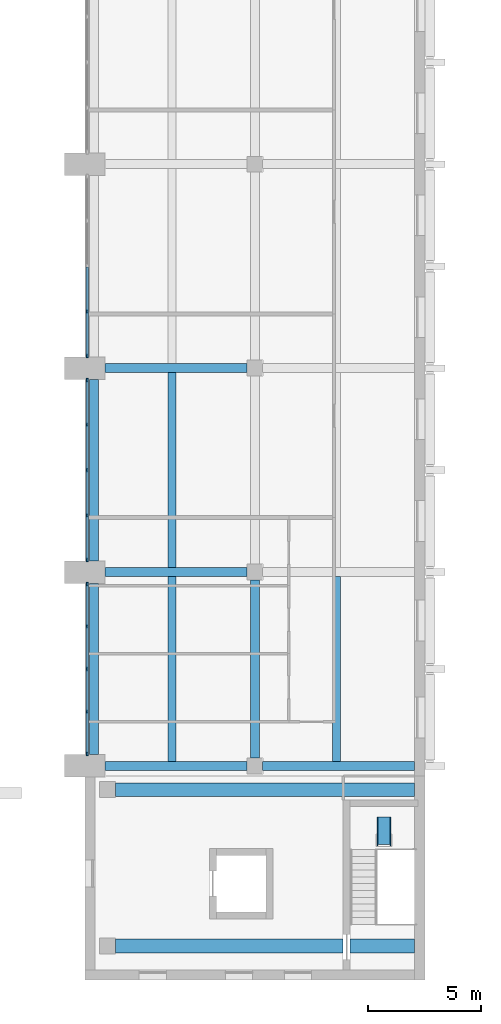
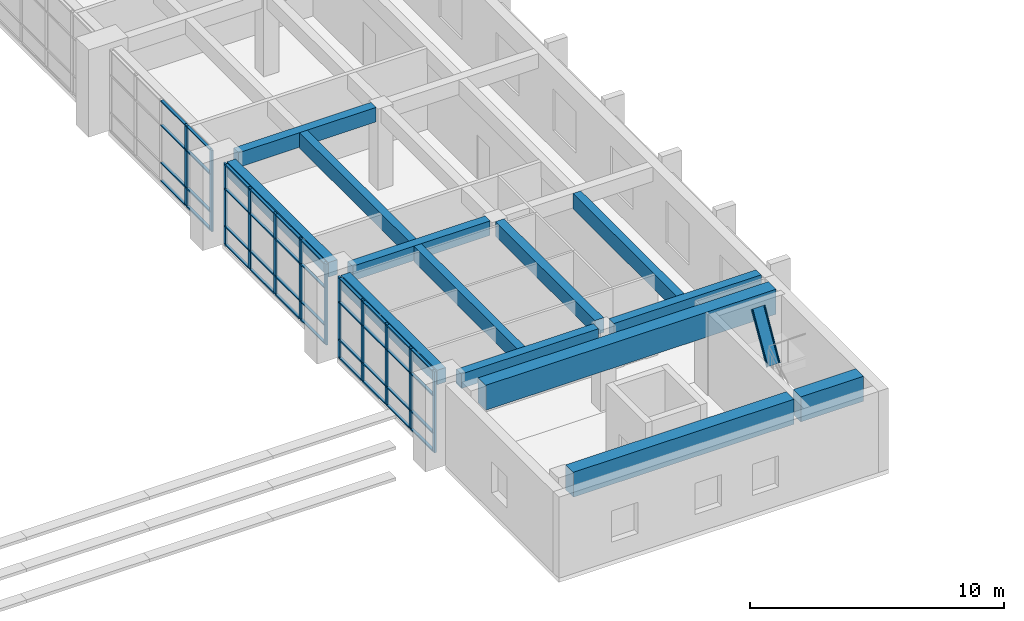
# One storey, part 6 of 43: 53 members, 13 beams, 3 elements without a shape of their own.
"""IFC4 building model written with IfcOpenShell, lengths in metres."""

from ifc_helpers import new_model, si_unit, direction, frame, origin, origin_2d, place, context, subcontext, project, spatial, polyline, rectangle, outline, extrude, material, material_profile, profile_set, type_object, element, aggregate, save


model = new_model("IFC4")

# Units and contexts
model_context = context("Model", 3, precision=1e-05, world=origin(), true_north=direction((0.0, 1.0)))
body_context = subcontext(model_context, "Body", "Model", "MODEL_VIEW")
ifc_project = project(units=[si_unit("LENGTHUNIT", "METRE"), si_unit("AREAUNIT", "SQUARE_METRE"), si_unit("VOLUMEUNIT", "CUBIC_METRE"), si_unit("PLANEANGLEUNIT", "RADIAN"), si_unit("MASSUNIT", "GRAM", prefix="KILO")], contexts=[model_context])

# Site, building, storey
site_placement = place(None, origin())
site = spatial("IfcSite", under=ifc_project, at=site_placement, CompositionType="ELEMENT")
building_placement = place(site_placement, origin())
building = spatial("IfcBuilding", under=site, at=building_placement, Name="Elmora Arch Market Hall", CompositionType="ELEMENT")
storey_placement = place(building_placement, frame((0.0, 0.0, 10.199951171875)))
storey = spatial("IfcBuildingStorey", under=building, at=storey_placement, Name="L02", CompositionType="ELEMENT", Elevation=10.199951171875)

# Beams
ifc_material_1 = material(Name="Concrete C32/40", Category="concrete")
ifc_material_profile_1 = material_profile(ifc_material_1, rectangle(XDim=0.60009765625, YDim=1.199951171875, at=origin_2d()), Name="Corner block girder 600x1200")
ifc_profile_set_1 = profile_set([ifc_material_profile_1], Name="Concrete C32/40")
beam_type_1 = type_object("IfcBeamType", Name="Corner block girder 600x1200", PredefinedType="BEAM", material=ifc_profile_set_1)
beam_1_placement = place(storey_placement, frame((44.35009765625, 19.5, 3.300048828125), z_axis=(1.0, 0.0, 0.0), x_axis=(0.0, 1.0, 0.0)))
element("IfcBeam", 1, at=beam_1_placement, inside=storey, type_object=beam_type_1, Name="Corner block girder SER1 L02.1", PredefinedType="BEAM", context=body_context, shape_type="SweptSolid", body=[
    extrude(rectangle(XDim=0.60009765625, YDim=1.199951171875, at=origin_2d()), origin(), (0.0, 0.0, 1.0), 10.0498046875),
])
beam_2_placement = place(storey_placement, frame((54.699951171875, 19.5, 3.300048828125), z_axis=(1.0, 0.0, 0.0), x_axis=(0.0, 1.0, 0.0)))
element("IfcBeam", 2, at=beam_2_placement, inside=storey, type_object=beam_type_1, Name="Corner block girder SER1 L02.2", PredefinedType="BEAM", context=body_context, shape_type="SweptSolid", body=[
    extrude(rectangle(XDim=0.60009765625, YDim=1.199951171875, at=origin_2d()), origin(), (0.0, 0.0, 1.0), 2.85009765625),
])
beam_3_placement = place(storey_placement, frame((44.35009765625, 26.39990234375, 3.300048828125), z_axis=(1.0, 0.0, 0.0), x_axis=(0.0, 1.0, 0.0)))
element("IfcBeam", 3, at=beam_3_placement, inside=storey, type_object=beam_type_1, Name="Corner block girder SER2 L02.1", PredefinedType="BEAM", context=body_context, shape_type="SweptSolid", body=[
    extrude(rectangle(XDim=0.60009765625, YDim=1.199951171875, at=origin_2d()), origin(), (0.0, 0.0, 1.0), 13.199951171875),
])

# Curtain wall, members
ifc_material_2 = material(Name="Aluminium", Category="aluminium")
curtain_wall_type = type_object("IfcCurtainWallType", Name="Hall front curtain wall", PredefinedType="NOTDEFINED", material=ifc_material_2)
curtain_wall_1_placement = place(storey_placement, origin())
curtain_wall_1 = element("IfcCurtainWall", 4, at=curtain_wall_1_placement, inside=storey, type_object=curtain_wall_type, Name="Wing front E L02 1", PredefinedType="NOTDEFINED")
ifc_material_3 = material(Name="Aluminium", Category="aluminium")
ifc_material_profile_2 = material_profile(ifc_material_3, rectangle(XDim=0.080078125, YDim=0.179931640625, at=origin_2d()), Name="AL 80x180")
ifc_profile_set_2 = profile_set([ifc_material_profile_2], Name="Aluminium")
member_type_1 = type_object("IfcMemberType", Name="Mullion 80x180", PredefinedType="MULLION", material=ifc_profile_set_2)
member_1_placement = place(storey_placement, frame((43.10009765625, 27.989990234375, 0.0), z_axis=(0.0, 0.0, 1.0), x_axis=(-1.0, 0.0, 0.0)))
member_1 = element("IfcMember", 5, at=member_1_placement, type_object=member_type_1, Name="CW2 mullion 1", PredefinedType="MULLION", context=body_context, shape_type="SweptSolid", body=[
    extrude(rectangle(XDim=0.080078125, YDim=0.179931640625, at=origin_2d()), origin(), (0.0, 0.0, 1.0), 3.900146484375),
])
member_2_placement = place(storey_placement, frame((43.10009765625, 29.83740234375, 0.0), z_axis=(0.0, 0.0, 1.0), x_axis=(-1.0, 0.0, 0.0)))
member_2 = element("IfcMember", 6, at=member_2_placement, type_object=member_type_1, Name="CW2 mullion 2", PredefinedType="MULLION", context=body_context, shape_type="SweptSolid", body=[
    extrude(rectangle(XDim=0.080078125, YDim=0.179931640625, at=origin_2d()), origin(), (0.0, 0.0, 1.0), 3.900146484375),
])
member_3_placement = place(storey_placement, frame((43.10009765625, 31.72509765625, 0.0), z_axis=(0.0, 0.0, 1.0), x_axis=(-1.0, 0.0, 0.0)))
member_3 = element("IfcMember", 7, at=member_3_placement, type_object=member_type_1, Name="CW2 mullion 3", PredefinedType="MULLION", context=body_context, shape_type="SweptSolid", body=[
    extrude(rectangle(XDim=0.080078125, YDim=0.179931640625, at=origin_2d()), origin(), (0.0, 0.0, 1.0), 3.900146484375),
])
member_4_placement = place(storey_placement, frame((43.10009765625, 33.612548828125, 0.0), z_axis=(0.0, 0.0, 1.0), x_axis=(-1.0, 0.0, 0.0)))
member_4 = element("IfcMember", 8, at=member_4_placement, type_object=member_type_1, Name="CW2 mullion 4", PredefinedType="MULLION", context=body_context, shape_type="SweptSolid", body=[
    extrude(rectangle(XDim=0.080078125, YDim=0.179931640625, at=origin_2d()), origin(), (0.0, 0.0, 1.0), 3.900146484375),
])
member_5_placement = place(storey_placement, frame((43.10009765625, 35.4599609375, 0.0), z_axis=(0.0, 0.0, 1.0), x_axis=(-1.0, 0.0, 0.0)))
member_5 = element("IfcMember", 9, at=member_5_placement, type_object=member_type_1, Name="CW2 mullion 5", PredefinedType="MULLION", context=body_context, shape_type="SweptSolid", body=[
    extrude(rectangle(XDim=0.080078125, YDim=0.179931640625, at=origin_2d()), origin(), (0.0, 0.0, 1.0), 3.900146484375),
])

curtain_wall_2_placement = place(storey_placement, origin())
curtain_wall_2 = element("IfcCurtainWall", 10, at=curtain_wall_2_placement, inside=storey, type_object=curtain_wall_type, Name="Wing front E L02 2", PredefinedType="NOTDEFINED")
member_6_placement = place(storey_placement, frame((43.10009765625, 36.5400390625, 0.0), z_axis=(0.0, 0.0, 1.0), x_axis=(-1.0, 0.0, 0.0)))
member_6 = element("IfcMember", 11, at=member_6_placement, type_object=member_type_1, Name="CW2 mullion 1", PredefinedType="MULLION", context=body_context, shape_type="SweptSolid", body=[
    extrude(rectangle(XDim=0.080078125, YDim=0.179931640625, at=origin_2d()), origin(), (0.0, 0.0, 1.0), 3.900146484375),
])
member_7_placement = place(storey_placement, frame((43.10009765625, 38.5, 0.0), z_axis=(0.0, 0.0, 1.0), x_axis=(-1.0, 0.0, 0.0)))
member_7 = element("IfcMember", 12, at=member_7_placement, type_object=member_type_1, Name="CW2 mullion 2", PredefinedType="MULLION", context=body_context, shape_type="SweptSolid", body=[
    extrude(rectangle(XDim=0.080078125, YDim=0.179931640625, at=origin_2d()), origin(), (0.0, 0.0, 1.0), 3.900146484375),
])
member_8_placement = place(storey_placement, frame((43.10009765625, 40.5, 0.0), z_axis=(0.0, 0.0, 1.0), x_axis=(-1.0, 0.0, 0.0)))
member_8 = element("IfcMember", 13, at=member_8_placement, type_object=member_type_1, Name="CW2 mullion 3", PredefinedType="MULLION", context=body_context, shape_type="SweptSolid", body=[
    extrude(rectangle(XDim=0.080078125, YDim=0.179931640625, at=origin_2d()), origin(), (0.0, 0.0, 1.0), 3.900146484375),
])
member_9_placement = place(storey_placement, frame((43.10009765625, 42.5, 0.0), z_axis=(0.0, 0.0, 1.0), x_axis=(-1.0, 0.0, 0.0)))
member_9 = element("IfcMember", 14, at=member_9_placement, type_object=member_type_1, Name="CW2 mullion 4", PredefinedType="MULLION", context=body_context, shape_type="SweptSolid", body=[
    extrude(rectangle(XDim=0.080078125, YDim=0.179931640625, at=origin_2d()), origin(), (0.0, 0.0, 1.0), 3.900146484375),
])
member_10_placement = place(storey_placement, frame((43.10009765625, 44.4599609375, 0.0), z_axis=(0.0, 0.0, 1.0), x_axis=(-1.0, 0.0, 0.0)))
member_10 = element("IfcMember", 15, at=member_10_placement, type_object=member_type_1, Name="CW2 mullion 5", PredefinedType="MULLION", context=body_context, shape_type="SweptSolid", body=[
    extrude(rectangle(XDim=0.080078125, YDim=0.179931640625, at=origin_2d()), origin(), (0.0, 0.0, 1.0), 3.900146484375),
])

curtain_wall_3_placement = place(storey_placement, origin())
curtain_wall_3 = element("IfcCurtainWall", 16, at=curtain_wall_3_placement, inside=storey, type_object=curtain_wall_type, Name="Wing front E L02 3", PredefinedType="NOTDEFINED")
member_11_placement = place(storey_placement, frame((43.10009765625, 45.5400390625, 0.0), z_axis=(0.0, 0.0, 1.0), x_axis=(-1.0, 0.0, 0.0)))
member_11 = element("IfcMember", 17, at=member_11_placement, type_object=member_type_1, Name="CW2 mullion 1", PredefinedType="MULLION", context=body_context, shape_type="SweptSolid", body=[
    extrude(rectangle(XDim=0.080078125, YDim=0.179931640625, at=origin_2d()), origin(), (0.0, 0.0, 1.0), 3.900146484375),
])
member_12_placement = place(storey_placement, frame((43.10009765625, 47.5, 0.0), z_axis=(0.0, 0.0, 1.0), x_axis=(-1.0, 0.0, 0.0)))
member_12 = element("IfcMember", 18, at=member_12_placement, type_object=member_type_1, Name="CW2 mullion 2", PredefinedType="MULLION", context=body_context, shape_type="SweptSolid", body=[
    extrude(rectangle(XDim=0.080078125, YDim=0.179931640625, at=origin_2d()), origin(), (0.0, 0.0, 1.0), 3.900146484375),
])

# Member
ifc_material_4 = material(Name="Steel ASTM A500 Gr C", Category="steel")
ifc_material_profile_3 = material_profile(ifc_material_4, outline(polyline([(-0.300048828125, 0.0), (0.300048828125, 0.0), (0.300048828125, 0.10009765625), (0.260009765625, 0.10009765625), (0.260009765625, 0.02001953125), (-0.260009765625, 0.02001953125), (-0.260009765625, 0.10009765625), (-0.300048828125, 0.10009765625), (-0.300048828125, 0.0)])), Name="Ladder channel 600 x 100")
ifc_profile_set_3 = profile_set([ifc_material_profile_3], Name="Steel ASTM A500 Gr C")
member_type_2 = type_object("IfcMemberType", Name="Roof access ladder 600", PredefinedType="USERDEFINED", material=ifc_profile_set_3)
member_13_placement = place(storey_placement, frame((56.199951171875, 24.0, 2.0), z_axis=(0.0, 0.505154929863, 0.863028676716), x_axis=(-1.0, 0.0, 0.0)))
element("IfcMember", 19, at=member_13_placement, inside=storey, type_object=member_type_2, Name="Roof access ladder ST-ES", ObjectType="ROOF ACCESS LADDER", PredefinedType="USERDEFINED", context=body_context, shape_type="SweptSolid", body=[
    extrude(outline(polyline([(-0.300048828125, 0.0), (0.300048828125, 0.0), (0.300048828125, 0.10009765625), (0.260009765625, 0.10009765625), (0.260009765625, 0.02001953125), (-0.260009765625, 0.02001953125), (-0.260009765625, 0.10009765625), (-0.300048828125, 0.10009765625), (-0.300048828125, 0.0)])), origin(), (0.0, 0.0, 1.0), 2.37548828125),
])

ifc_material_5 = material(Name="Aluminium", Category="aluminium")
ifc_material_profile_4 = material_profile(ifc_material_5, rectangle(XDim=0.1201171875, YDim=0.06005859375, at=origin_2d()), Name="AL 120x60")
ifc_profile_set_4 = profile_set([ifc_material_profile_4], Name="Aluminium")
member_type_3 = type_object("IfcMemberType", Name="Transom 120x60", PredefinedType="USERDEFINED", material=ifc_profile_set_4)
member_14_placement = place(storey_placement, frame((43.10009765625, 28.030029296875, 0.030029296875), z_axis=(0.0, 1.0, 0.0), x_axis=(-1.0, 0.0, 0.0)))
member_14 = element("IfcMember", 20, at=member_14_placement, type_object=member_type_3, Name="CW2 transom 1.1", ObjectType="TRANSOM", PredefinedType="USERDEFINED", context=body_context, shape_type="SweptSolid", body=[
    extrude(rectangle(XDim=0.1201171875, YDim=0.06005859375, at=origin_2d()), origin(), (0.0, 0.0, 1.0), 1.767578125),
])

member_15_placement = place(storey_placement, frame((43.10009765625, 28.030029296875, 0.900146484375), z_axis=(0.0, 1.0, 0.0), x_axis=(-1.0, 0.0, 0.0)))
member_15 = element("IfcMember", 21, at=member_15_placement, type_object=member_type_3, Name="CW2 transom 1.2", ObjectType="TRANSOM", PredefinedType="USERDEFINED", context=body_context, shape_type="SweptSolid", body=[
    extrude(rectangle(XDim=0.1201171875, YDim=0.06005859375, at=origin_2d()), origin(), (0.0, 0.0, 1.0), 1.767578125),
])

member_16_placement = place(storey_placement, frame((43.10009765625, 28.030029296875, 2.699951171875), z_axis=(0.0, 1.0, 0.0), x_axis=(-1.0, 0.0, 0.0)))
member_16 = element("IfcMember", 22, at=member_16_placement, type_object=member_type_3, Name="CW2 transom 1.3", ObjectType="TRANSOM", PredefinedType="USERDEFINED", context=body_context, shape_type="SweptSolid", body=[
    extrude(rectangle(XDim=0.1201171875, YDim=0.06005859375, at=origin_2d()), origin(), (0.0, 0.0, 1.0), 1.767578125),
])

member_17_placement = place(storey_placement, frame((43.10009765625, 28.030029296875, 3.8701171875), z_axis=(0.0, 1.0, 0.0), x_axis=(-1.0, 0.0, 0.0)))
member_17 = element("IfcMember", 23, at=member_17_placement, type_object=member_type_3, Name="CW2 transom 1.4", ObjectType="TRANSOM", PredefinedType="USERDEFINED", context=body_context, shape_type="SweptSolid", body=[
    extrude(rectangle(XDim=0.1201171875, YDim=0.06005859375, at=origin_2d()), origin(), (0.0, 0.0, 1.0), 1.767578125),
])

member_18_placement = place(storey_placement, frame((43.10009765625, 29.87744140625, 0.030029296875), z_axis=(0.0, 1.0, 0.0), x_axis=(-1.0, 0.0, 0.0)))
member_18 = element("IfcMember", 24, at=member_18_placement, type_object=member_type_3, Name="CW2 transom 2.1", ObjectType="TRANSOM", PredefinedType="USERDEFINED", context=body_context, shape_type="SweptSolid", body=[
    extrude(rectangle(XDim=0.1201171875, YDim=0.06005859375, at=origin_2d()), origin(), (0.0, 0.0, 1.0), 1.8076171875),
])

member_19_placement = place(storey_placement, frame((43.10009765625, 29.87744140625, 0.900146484375), z_axis=(0.0, 1.0, 0.0), x_axis=(-1.0, 0.0, 0.0)))
member_19 = element("IfcMember", 25, at=member_19_placement, type_object=member_type_3, Name="CW2 transom 2.2", ObjectType="TRANSOM", PredefinedType="USERDEFINED", context=body_context, shape_type="SweptSolid", body=[
    extrude(rectangle(XDim=0.1201171875, YDim=0.06005859375, at=origin_2d()), origin(), (0.0, 0.0, 1.0), 1.8076171875),
])

member_20_placement = place(storey_placement, frame((43.10009765625, 29.87744140625, 2.699951171875), z_axis=(0.0, 1.0, 0.0), x_axis=(-1.0, 0.0, 0.0)))
member_20 = element("IfcMember", 26, at=member_20_placement, type_object=member_type_3, Name="CW2 transom 2.3", ObjectType="TRANSOM", PredefinedType="USERDEFINED", context=body_context, shape_type="SweptSolid", body=[
    extrude(rectangle(XDim=0.1201171875, YDim=0.06005859375, at=origin_2d()), origin(), (0.0, 0.0, 1.0), 1.8076171875),
])

member_21_placement = place(storey_placement, frame((43.10009765625, 29.87744140625, 3.8701171875), z_axis=(0.0, 1.0, 0.0), x_axis=(-1.0, 0.0, 0.0)))
member_21 = element("IfcMember", 27, at=member_21_placement, type_object=member_type_3, Name="CW2 transom 2.4", ObjectType="TRANSOM", PredefinedType="USERDEFINED", context=body_context, shape_type="SweptSolid", body=[
    extrude(rectangle(XDim=0.1201171875, YDim=0.06005859375, at=origin_2d()), origin(), (0.0, 0.0, 1.0), 1.8076171875),
])

member_22_placement = place(storey_placement, frame((43.10009765625, 31.764892578125, 0.030029296875), z_axis=(0.0, 1.0, 0.0), x_axis=(-1.0, 0.0, 0.0)))
member_22 = element("IfcMember", 28, at=member_22_placement, type_object=member_type_3, Name="CW2 transom 3.1", ObjectType="TRANSOM", PredefinedType="USERDEFINED", context=body_context, shape_type="SweptSolid", body=[
    extrude(rectangle(XDim=0.1201171875, YDim=0.06005859375, at=origin_2d()), origin(), (0.0, 0.0, 1.0), 1.8076171875),
])

member_23_placement = place(storey_placement, frame((43.10009765625, 31.764892578125, 0.900146484375), z_axis=(0.0, 1.0, 0.0), x_axis=(-1.0, 0.0, 0.0)))
member_23 = element("IfcMember", 29, at=member_23_placement, type_object=member_type_3, Name="CW2 transom 3.2", ObjectType="TRANSOM", PredefinedType="USERDEFINED", context=body_context, shape_type="SweptSolid", body=[
    extrude(rectangle(XDim=0.1201171875, YDim=0.06005859375, at=origin_2d()), origin(), (0.0, 0.0, 1.0), 1.8076171875),
])

member_24_placement = place(storey_placement, frame((43.10009765625, 31.764892578125, 2.699951171875), z_axis=(0.0, 1.0, 0.0), x_axis=(-1.0, 0.0, 0.0)))
member_24 = element("IfcMember", 30, at=member_24_placement, type_object=member_type_3, Name="CW2 transom 3.3", ObjectType="TRANSOM", PredefinedType="USERDEFINED", context=body_context, shape_type="SweptSolid", body=[
    extrude(rectangle(XDim=0.1201171875, YDim=0.06005859375, at=origin_2d()), origin(), (0.0, 0.0, 1.0), 1.8076171875),
])

member_25_placement = place(storey_placement, frame((43.10009765625, 31.764892578125, 3.8701171875), z_axis=(0.0, 1.0, 0.0), x_axis=(-1.0, 0.0, 0.0)))
member_25 = element("IfcMember", 31, at=member_25_placement, type_object=member_type_3, Name="CW2 transom 3.4", ObjectType="TRANSOM", PredefinedType="USERDEFINED", context=body_context, shape_type="SweptSolid", body=[
    extrude(rectangle(XDim=0.1201171875, YDim=0.06005859375, at=origin_2d()), origin(), (0.0, 0.0, 1.0), 1.8076171875),
])

member_26_placement = place(storey_placement, frame((43.10009765625, 33.652587890625, 0.030029296875), z_axis=(0.0, 1.0, 0.0), x_axis=(-1.0, 0.0, 0.0)))
member_26 = element("IfcMember", 32, at=member_26_placement, type_object=member_type_3, Name="CW2 transom 4.1", ObjectType="TRANSOM", PredefinedType="USERDEFINED", context=body_context, shape_type="SweptSolid", body=[
    extrude(rectangle(XDim=0.1201171875, YDim=0.06005859375, at=origin_2d()), origin(), (0.0, 0.0, 1.0), 1.767333984375),
])

member_27_placement = place(storey_placement, frame((43.10009765625, 33.652587890625, 0.900146484375), z_axis=(0.0, 1.0, 0.0), x_axis=(-1.0, 0.0, 0.0)))
member_27 = element("IfcMember", 33, at=member_27_placement, type_object=member_type_3, Name="CW2 transom 4.2", ObjectType="TRANSOM", PredefinedType="USERDEFINED", context=body_context, shape_type="SweptSolid", body=[
    extrude(rectangle(XDim=0.1201171875, YDim=0.06005859375, at=origin_2d()), origin(), (0.0, 0.0, 1.0), 1.767333984375),
])

member_28_placement = place(storey_placement, frame((43.10009765625, 33.652587890625, 2.699951171875), z_axis=(0.0, 1.0, 0.0), x_axis=(-1.0, 0.0, 0.0)))
member_28 = element("IfcMember", 34, at=member_28_placement, type_object=member_type_3, Name="CW2 transom 4.3", ObjectType="TRANSOM", PredefinedType="USERDEFINED", context=body_context, shape_type="SweptSolid", body=[
    extrude(rectangle(XDim=0.1201171875, YDim=0.06005859375, at=origin_2d()), origin(), (0.0, 0.0, 1.0), 1.767333984375),
])

member_29_placement = place(storey_placement, frame((43.10009765625, 33.652587890625, 3.8701171875), z_axis=(0.0, 1.0, 0.0), x_axis=(-1.0, 0.0, 0.0)))
member_29 = element("IfcMember", 35, at=member_29_placement, type_object=member_type_3, Name="CW2 transom 4.4", ObjectType="TRANSOM", PredefinedType="USERDEFINED", context=body_context, shape_type="SweptSolid", body=[
    extrude(rectangle(XDim=0.1201171875, YDim=0.06005859375, at=origin_2d()), origin(), (0.0, 0.0, 1.0), 1.767333984375),
])

aggregate(curtain_wall_1, [member_1, member_2, member_3, member_4, member_5, member_14, member_15, member_16, member_17, member_18, member_19, member_20, member_21, member_22, member_23, member_24, member_25, member_26, member_27, member_28, member_29])

member_30_placement = place(storey_placement, frame((43.10009765625, 36.580078125, 0.030029296875), z_axis=(0.0, 1.0, 0.0), x_axis=(-1.0, 0.0, 0.0)))
member_30 = element("IfcMember", 36, at=member_30_placement, type_object=member_type_3, Name="CW2 transom 1.1", ObjectType="TRANSOM", PredefinedType="USERDEFINED", context=body_context, shape_type="SweptSolid", body=[
    extrude(rectangle(XDim=0.1201171875, YDim=0.06005859375, at=origin_2d()), origin(), (0.0, 0.0, 1.0), 1.8798828125),
])

member_31_placement = place(storey_placement, frame((43.10009765625, 36.580078125, 0.900146484375), z_axis=(0.0, 1.0, 0.0), x_axis=(-1.0, 0.0, 0.0)))
member_31 = element("IfcMember", 37, at=member_31_placement, type_object=member_type_3, Name="CW2 transom 1.2", ObjectType="TRANSOM", PredefinedType="USERDEFINED", context=body_context, shape_type="SweptSolid", body=[
    extrude(rectangle(XDim=0.1201171875, YDim=0.06005859375, at=origin_2d()), origin(), (0.0, 0.0, 1.0), 1.8798828125),
])

member_32_placement = place(storey_placement, frame((43.10009765625, 36.580078125, 2.699951171875), z_axis=(0.0, 1.0, 0.0), x_axis=(-1.0, 0.0, 0.0)))
member_32 = element("IfcMember", 38, at=member_32_placement, type_object=member_type_3, Name="CW2 transom 1.3", ObjectType="TRANSOM", PredefinedType="USERDEFINED", context=body_context, shape_type="SweptSolid", body=[
    extrude(rectangle(XDim=0.1201171875, YDim=0.06005859375, at=origin_2d()), origin(), (0.0, 0.0, 1.0), 1.8798828125),
])

member_33_placement = place(storey_placement, frame((43.10009765625, 36.580078125, 3.8701171875), z_axis=(0.0, 1.0, 0.0), x_axis=(-1.0, 0.0, 0.0)))
member_33 = element("IfcMember", 39, at=member_33_placement, type_object=member_type_3, Name="CW2 transom 1.4", ObjectType="TRANSOM", PredefinedType="USERDEFINED", context=body_context, shape_type="SweptSolid", body=[
    extrude(rectangle(XDim=0.1201171875, YDim=0.06005859375, at=origin_2d()), origin(), (0.0, 0.0, 1.0), 1.8798828125),
])

member_34_placement = place(storey_placement, frame((43.10009765625, 38.5400390625, 0.030029296875), z_axis=(0.0, 1.0, 0.0), x_axis=(-1.0, 0.0, 0.0)))
member_34 = element("IfcMember", 40, at=member_34_placement, type_object=member_type_3, Name="CW2 transom 2.1", ObjectType="TRANSOM", PredefinedType="USERDEFINED", context=body_context, shape_type="SweptSolid", body=[
    extrude(rectangle(XDim=0.1201171875, YDim=0.06005859375, at=origin_2d()), origin(), (0.0, 0.0, 1.0), 1.919921875),
])

member_35_placement = place(storey_placement, frame((43.10009765625, 38.5400390625, 0.900146484375), z_axis=(0.0, 1.0, 0.0), x_axis=(-1.0, 0.0, 0.0)))
member_35 = element("IfcMember", 41, at=member_35_placement, type_object=member_type_3, Name="CW2 transom 2.2", ObjectType="TRANSOM", PredefinedType="USERDEFINED", context=body_context, shape_type="SweptSolid", body=[
    extrude(rectangle(XDim=0.1201171875, YDim=0.06005859375, at=origin_2d()), origin(), (0.0, 0.0, 1.0), 1.919921875),
])

member_36_placement = place(storey_placement, frame((43.10009765625, 38.5400390625, 2.699951171875), z_axis=(0.0, 1.0, 0.0), x_axis=(-1.0, 0.0, 0.0)))
member_36 = element("IfcMember", 42, at=member_36_placement, type_object=member_type_3, Name="CW2 transom 2.3", ObjectType="TRANSOM", PredefinedType="USERDEFINED", context=body_context, shape_type="SweptSolid", body=[
    extrude(rectangle(XDim=0.1201171875, YDim=0.06005859375, at=origin_2d()), origin(), (0.0, 0.0, 1.0), 1.919921875),
])

member_37_placement = place(storey_placement, frame((43.10009765625, 38.5400390625, 3.8701171875), z_axis=(0.0, 1.0, 0.0), x_axis=(-1.0, 0.0, 0.0)))
member_37 = element("IfcMember", 43, at=member_37_placement, type_object=member_type_3, Name="CW2 transom 2.4", ObjectType="TRANSOM", PredefinedType="USERDEFINED", context=body_context, shape_type="SweptSolid", body=[
    extrude(rectangle(XDim=0.1201171875, YDim=0.06005859375, at=origin_2d()), origin(), (0.0, 0.0, 1.0), 1.919921875),
])

member_38_placement = place(storey_placement, frame((43.10009765625, 40.5400390625, 0.030029296875), z_axis=(0.0, 1.0, 0.0), x_axis=(-1.0, 0.0, 0.0)))
member_38 = element("IfcMember", 44, at=member_38_placement, type_object=member_type_3, Name="CW2 transom 3.1", ObjectType="TRANSOM", PredefinedType="USERDEFINED", context=body_context, shape_type="SweptSolid", body=[
    extrude(rectangle(XDim=0.1201171875, YDim=0.06005859375, at=origin_2d()), origin(), (0.0, 0.0, 1.0), 1.919921875),
])

member_39_placement = place(storey_placement, frame((43.10009765625, 40.5400390625, 0.900146484375), z_axis=(0.0, 1.0, 0.0), x_axis=(-1.0, 0.0, 0.0)))
member_39 = element("IfcMember", 45, at=member_39_placement, type_object=member_type_3, Name="CW2 transom 3.2", ObjectType="TRANSOM", PredefinedType="USERDEFINED", context=body_context, shape_type="SweptSolid", body=[
    extrude(rectangle(XDim=0.1201171875, YDim=0.06005859375, at=origin_2d()), origin(), (0.0, 0.0, 1.0), 1.919921875),
])

member_40_placement = place(storey_placement, frame((43.10009765625, 40.5400390625, 2.699951171875), z_axis=(0.0, 1.0, 0.0), x_axis=(-1.0, 0.0, 0.0)))
member_40 = element("IfcMember", 46, at=member_40_placement, type_object=member_type_3, Name="CW2 transom 3.3", ObjectType="TRANSOM", PredefinedType="USERDEFINED", context=body_context, shape_type="SweptSolid", body=[
    extrude(rectangle(XDim=0.1201171875, YDim=0.06005859375, at=origin_2d()), origin(), (0.0, 0.0, 1.0), 1.919921875),
])

member_41_placement = place(storey_placement, frame((43.10009765625, 40.5400390625, 3.8701171875), z_axis=(0.0, 1.0, 0.0), x_axis=(-1.0, 0.0, 0.0)))
member_41 = element("IfcMember", 47, at=member_41_placement, type_object=member_type_3, Name="CW2 transom 3.4", ObjectType="TRANSOM", PredefinedType="USERDEFINED", context=body_context, shape_type="SweptSolid", body=[
    extrude(rectangle(XDim=0.1201171875, YDim=0.06005859375, at=origin_2d()), origin(), (0.0, 0.0, 1.0), 1.919921875),
])

member_42_placement = place(storey_placement, frame((43.10009765625, 42.5400390625, 0.030029296875), z_axis=(0.0, 1.0, 0.0), x_axis=(-1.0, 0.0, 0.0)))
member_42 = element("IfcMember", 48, at=member_42_placement, type_object=member_type_3, Name="CW2 transom 4.1", ObjectType="TRANSOM", PredefinedType="USERDEFINED", context=body_context, shape_type="SweptSolid", body=[
    extrude(rectangle(XDim=0.1201171875, YDim=0.06005859375, at=origin_2d()), origin(), (0.0, 0.0, 1.0), 1.8798828125),
])

member_43_placement = place(storey_placement, frame((43.10009765625, 42.5400390625, 0.900146484375), z_axis=(0.0, 1.0, 0.0), x_axis=(-1.0, 0.0, 0.0)))
member_43 = element("IfcMember", 49, at=member_43_placement, type_object=member_type_3, Name="CW2 transom 4.2", ObjectType="TRANSOM", PredefinedType="USERDEFINED", context=body_context, shape_type="SweptSolid", body=[
    extrude(rectangle(XDim=0.1201171875, YDim=0.06005859375, at=origin_2d()), origin(), (0.0, 0.0, 1.0), 1.8798828125),
])

member_44_placement = place(storey_placement, frame((43.10009765625, 42.5400390625, 2.699951171875), z_axis=(0.0, 1.0, 0.0), x_axis=(-1.0, 0.0, 0.0)))
member_44 = element("IfcMember", 50, at=member_44_placement, type_object=member_type_3, Name="CW2 transom 4.3", ObjectType="TRANSOM", PredefinedType="USERDEFINED", context=body_context, shape_type="SweptSolid", body=[
    extrude(rectangle(XDim=0.1201171875, YDim=0.06005859375, at=origin_2d()), origin(), (0.0, 0.0, 1.0), 1.8798828125),
])

member_45_placement = place(storey_placement, frame((43.10009765625, 42.5400390625, 3.8701171875), z_axis=(0.0, 1.0, 0.0), x_axis=(-1.0, 0.0, 0.0)))
member_45 = element("IfcMember", 51, at=member_45_placement, type_object=member_type_3, Name="CW2 transom 4.4", ObjectType="TRANSOM", PredefinedType="USERDEFINED", context=body_context, shape_type="SweptSolid", body=[
    extrude(rectangle(XDim=0.1201171875, YDim=0.06005859375, at=origin_2d()), origin(), (0.0, 0.0, 1.0), 1.8798828125),
])

aggregate(curtain_wall_2, [member_6, member_7, member_8, member_9, member_10, member_30, member_31, member_32, member_33, member_34, member_35, member_36, member_37, member_38, member_39, member_40, member_41, member_42, member_43, member_44, member_45])

member_46_placement = place(storey_placement, frame((43.10009765625, 45.580078125, 0.030029296875), z_axis=(0.0, 1.0, 0.0), x_axis=(-1.0, 0.0, 0.0)))
member_46 = element("IfcMember", 52, at=member_46_placement, type_object=member_type_3, Name="CW2 transom 1.1", ObjectType="TRANSOM", PredefinedType="USERDEFINED", context=body_context, shape_type="SweptSolid", body=[
    extrude(rectangle(XDim=0.1201171875, YDim=0.06005859375, at=origin_2d()), origin(), (0.0, 0.0, 1.0), 1.8798828125),
])

member_47_placement = place(storey_placement, frame((43.10009765625, 45.580078125, 0.900146484375), z_axis=(0.0, 1.0, 0.0), x_axis=(-1.0, 0.0, 0.0)))
member_47 = element("IfcMember", 53, at=member_47_placement, type_object=member_type_3, Name="CW2 transom 1.2", ObjectType="TRANSOM", PredefinedType="USERDEFINED", context=body_context, shape_type="SweptSolid", body=[
    extrude(rectangle(XDim=0.1201171875, YDim=0.06005859375, at=origin_2d()), origin(), (0.0, 0.0, 1.0), 1.8798828125),
])

member_48_placement = place(storey_placement, frame((43.10009765625, 45.580078125, 2.699951171875), z_axis=(0.0, 1.0, 0.0), x_axis=(-1.0, 0.0, 0.0)))
member_48 = element("IfcMember", 54, at=member_48_placement, type_object=member_type_3, Name="CW2 transom 1.3", ObjectType="TRANSOM", PredefinedType="USERDEFINED", context=body_context, shape_type="SweptSolid", body=[
    extrude(rectangle(XDim=0.1201171875, YDim=0.06005859375, at=origin_2d()), origin(), (0.0, 0.0, 1.0), 1.8798828125),
])

member_49_placement = place(storey_placement, frame((43.10009765625, 45.580078125, 3.8701171875), z_axis=(0.0, 1.0, 0.0), x_axis=(-1.0, 0.0, 0.0)))
member_49 = element("IfcMember", 55, at=member_49_placement, type_object=member_type_3, Name="CW2 transom 1.4", ObjectType="TRANSOM", PredefinedType="USERDEFINED", context=body_context, shape_type="SweptSolid", body=[
    extrude(rectangle(XDim=0.1201171875, YDim=0.06005859375, at=origin_2d()), origin(), (0.0, 0.0, 1.0), 1.8798828125),
])

member_50_placement = place(storey_placement, frame((43.10009765625, 47.5400390625, 0.030029296875), z_axis=(0.0, 1.0, 0.0), x_axis=(-1.0, 0.0, 0.0)))
member_50 = element("IfcMember", 56, at=member_50_placement, type_object=member_type_3, Name="CW2 transom 2.1", ObjectType="TRANSOM", PredefinedType="USERDEFINED", context=body_context, shape_type="SweptSolid", body=[
    extrude(rectangle(XDim=0.1201171875, YDim=0.06005859375, at=origin_2d()), origin(), (0.0, 0.0, 1.0), 1.919921875),
])

member_51_placement = place(storey_placement, frame((43.10009765625, 47.5400390625, 0.900146484375), z_axis=(0.0, 1.0, 0.0), x_axis=(-1.0, 0.0, 0.0)))
member_51 = element("IfcMember", 57, at=member_51_placement, type_object=member_type_3, Name="CW2 transom 2.2", ObjectType="TRANSOM", PredefinedType="USERDEFINED", context=body_context, shape_type="SweptSolid", body=[
    extrude(rectangle(XDim=0.1201171875, YDim=0.06005859375, at=origin_2d()), origin(), (0.0, 0.0, 1.0), 1.919921875),
])

member_52_placement = place(storey_placement, frame((43.10009765625, 47.5400390625, 2.699951171875), z_axis=(0.0, 1.0, 0.0), x_axis=(-1.0, 0.0, 0.0)))
member_52 = element("IfcMember", 58, at=member_52_placement, type_object=member_type_3, Name="CW2 transom 2.3", ObjectType="TRANSOM", PredefinedType="USERDEFINED", context=body_context, shape_type="SweptSolid", body=[
    extrude(rectangle(XDim=0.1201171875, YDim=0.06005859375, at=origin_2d()), origin(), (0.0, 0.0, 1.0), 1.919921875),
])

member_53_placement = place(storey_placement, frame((43.10009765625, 47.5400390625, 3.8701171875), z_axis=(0.0, 1.0, 0.0), x_axis=(-1.0, 0.0, 0.0)))
member_53 = element("IfcMember", 59, at=member_53_placement, type_object=member_type_3, Name="CW2 transom 2.4", ObjectType="TRANSOM", PredefinedType="USERDEFINED", context=body_context, shape_type="SweptSolid", body=[
    extrude(rectangle(XDim=0.1201171875, YDim=0.06005859375, at=origin_2d()), origin(), (0.0, 0.0, 1.0), 1.919921875),
])

aggregate(curtain_wall_3, [member_11, member_12, member_46, member_47, member_48, member_49, member_50, member_51, member_52, member_53])

# Beams
ifc_material_6 = material(Name="Concrete C32/40", Category="concrete")
ifc_material_profile_5 = material_profile(ifc_material_6, rectangle(XDim=0.39990234375, YDim=0.699951171875, at=origin_2d()), Name="Wing beam 400x700")
ifc_profile_set_5 = profile_set([ifc_material_profile_5], Name="Concrete C32/40")
beam_type_2 = type_object("IfcBeamType", Name="Wing beam 400x700", PredefinedType="BEAM", material=ifc_profile_set_5)
beam_4_placement = place(storey_placement, frame((43.89990234375, 27.449951171875, 3.550048828125), z_axis=(1.0, 0.0, 0.0), x_axis=(0.0, 1.0, 0.0)))
element("IfcBeam", 60, at=beam_4_placement, inside=storey, type_object=beam_type_2, Name="Wing beam ER1 L02.1", PredefinedType="BEAM", context=body_context, shape_type="SweptSolid", body=[
    extrude(rectangle(XDim=0.39990234375, YDim=0.699951171875, at=origin_2d()), origin(), (0.0, 0.0, 1.0), 6.25),
])
beam_5_placement = place(storey_placement, frame((50.85009765625, 27.449951171875, 3.550048828125), z_axis=(1.0, 0.0, 0.0), x_axis=(0.0, 1.0, 0.0)))
element("IfcBeam", 61, at=beam_5_placement, inside=storey, type_object=beam_type_2, Name="Wing beam ER1 L02.2", PredefinedType="BEAM", context=body_context, shape_type="SweptSolid", body=[
    extrude(rectangle(XDim=0.39990234375, YDim=0.699951171875, at=origin_2d()), origin(), (0.0, 0.0, 1.0), 6.699951171875),
])
for number, where, z_axis, x_axis, name in (
    (62, (43.89990234375, 36.0, 3.550048828125), (1.0, 0.0, 0.0), (0.0, 1.0, 0.0), "Wing beam ER2 L02.1"),
    (63, (43.89990234375, 45.0, 3.550048828125), (1.0, 0.0, 0.0), (0.0, 1.0, 0.0), "Wing beam ER3 L02.1"),
):
    element("IfcBeam", number, at=place(storey_placement, frame(where, z_axis=z_axis, x_axis=x_axis)), inside=storey, type_object=beam_type_2, Name=name, PredefinedType="BEAM", context=body_context, shape_type="SweptSolid", body=[
        extrude(rectangle(XDim=0.39990234375, YDim=0.699951171875, at=origin_2d()), origin(), (0.0, 0.0, 1.0), 6.25),
    ])
beam_6_placement = place(storey_placement, frame((50.5, 27.800048828125, 3.550048828125), z_axis=(0.0, 1.0, 0.0), x_axis=(-1.0, 0.0, 0.0)))
element("IfcBeam", 64, at=beam_6_placement, inside=storey, type_object=beam_type_2, Name="Wing beam EG L02.1", PredefinedType="BEAM", context=body_context, shape_type="SweptSolid", body=[
    extrude(rectangle(XDim=0.39990234375, YDim=0.699951171875, at=origin_2d()), origin(), (0.0, 0.0, 1.0), 7.849853515625),
])
beam_7_placement = place(storey_placement, frame((43.39990234375, 27.949951171875, 3.550048828125), z_axis=(0.0, 1.0, 0.0), x_axis=(-1.0, 0.0, 0.0)))
element("IfcBeam", 65, at=beam_7_placement, inside=storey, type_object=beam_type_2, Name="Wing beam EEB L02.1", PredefinedType="BEAM", context=body_context, shape_type="SweptSolid", body=[
    extrude(rectangle(XDim=0.39990234375, YDim=0.699951171875, at=origin_2d()), origin(), (0.0, 0.0, 1.0), 7.550048828125),
])
beam_8_placement = place(storey_placement, frame((43.39990234375, 36.5, 3.550048828125), z_axis=(0.0, 1.0, 0.0), x_axis=(-1.0, 0.0, 0.0)))
element("IfcBeam", 66, at=beam_8_placement, inside=storey, type_object=beam_type_2, Name="Wing beam EEB L02.2", PredefinedType="BEAM", context=body_context, shape_type="SweptSolid", body=[
    extrude(rectangle(XDim=0.39990234375, YDim=0.699951171875, at=origin_2d()), origin(), (0.0, 0.0, 1.0), 8.0),
])
ifc_material_7 = material(Name="Concrete C32/40", Category="concrete")
ifc_material_profile_6 = material_profile(ifc_material_7, rectangle(XDim=0.35009765625, YDim=0.75, at=origin_2d()), Name="Wing joist 350x750")
ifc_profile_set_6 = profile_set([ifc_material_profile_6], Name="Concrete C32/40")
beam_type_3 = type_object("IfcBeamType", Name="Wing joist 350x750", PredefinedType="JOIST", material=ifc_profile_set_6)
beam_9_placement = place(storey_placement, frame((46.85009765625, 27.64990234375, 3.525146484375), z_axis=(0.0, 1.0, 0.0), x_axis=(-1.0, 0.0, 0.0)))
element("IfcBeam", 67, at=beam_9_placement, inside=storey, type_object=beam_type_3, Name="Wing joist EJ1 L02.1", PredefinedType="JOIST", context=body_context, shape_type="SweptSolid", body=[
    extrude(rectangle(XDim=0.35009765625, YDim=0.75, at=origin_2d()), origin(), (0.0, 0.0, 1.0), 8.150146484375),
])
beam_10_placement = place(storey_placement, frame((46.85009765625, 36.199951171875, 3.525146484375), z_axis=(0.0, 1.0, 0.0), x_axis=(-1.0, 0.0, 0.0)))
element("IfcBeam", 68, at=beam_10_placement, inside=storey, type_object=beam_type_3, Name="Wing joist EJ1 L02.2", PredefinedType="JOIST", context=body_context, shape_type="SweptSolid", body=[
    extrude(rectangle(XDim=0.35009765625, YDim=0.75, at=origin_2d()), origin(), (0.0, 0.0, 1.0), 8.60009765625),
])
beam_11_placement = place(storey_placement, frame((54.10009765625, 27.64990234375, 3.525146484375), z_axis=(0.0, 1.0, 0.0), x_axis=(-1.0, 0.0, 0.0)))
element("IfcBeam", 69, at=beam_11_placement, inside=storey, type_object=beam_type_3, Name="Wing joist EJ2 L02.1", PredefinedType="JOIST", context=body_context, shape_type="SweptSolid", body=[
    extrude(rectangle(XDim=0.35009765625, YDim=0.75, at=origin_2d()), origin(), (0.0, 0.0, 1.0), 8.150146484375),
])

save(model, "model.ifc")
